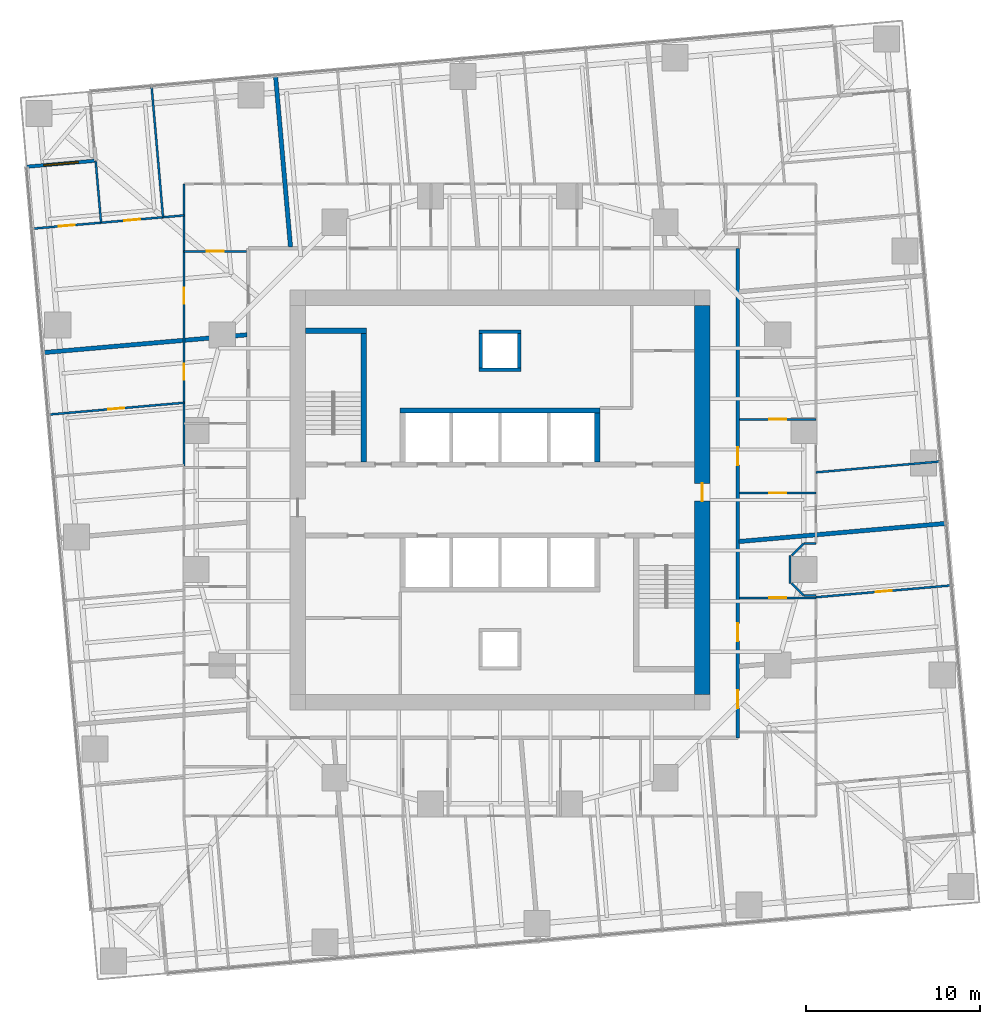
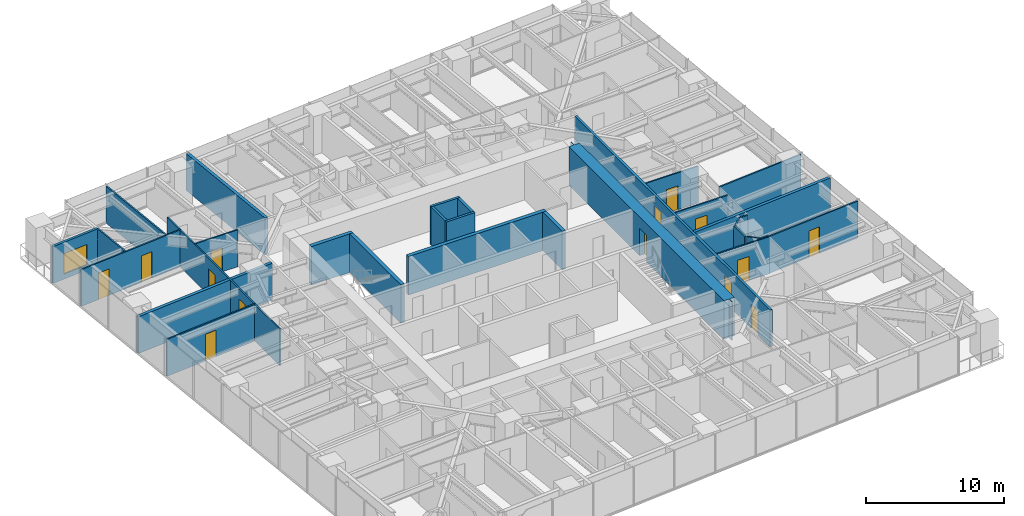
# One storey, part 11 of 14: 30 walls, 14 doors, 1 window, 15 openings.
"""IFC4 building model written with IfcOpenShell, lengths in metres."""

from ifc_helpers import new_model, si_unit, direction, frame, frame_2d, origin, place, context, subcontext, project, spatial, polyline, rectangle, outline, extrude, material, layer, layer_set, type_object, element, fill, save


model = new_model("IFC4")

# Units and contexts
model_context = context("Model", 3, precision=1e-05, world=origin(), true_north=direction((0.0, 1.0)))
body_context = subcontext(model_context, "Body", "Model", "MODEL_VIEW")
ifc_project = project(units=[si_unit("LENGTHUNIT", "METRE"), si_unit("AREAUNIT", "SQUARE_METRE"), si_unit("VOLUMEUNIT", "CUBIC_METRE"), si_unit("PLANEANGLEUNIT", "RADIAN"), si_unit("MASSUNIT", "GRAM", prefix="KILO")], contexts=[model_context])

# Site, building, storey
site_placement = place(None, origin())
site = spatial("IfcSite", under=ifc_project, at=site_placement, CompositionType="ELEMENT")
building_placement = place(site_placement, origin())
building = spatial("IfcBuilding", under=site, at=building_placement, Name="Torsade Residences", CompositionType="ELEMENT")
storey_placement = place(building_placement, frame((0.0, 0.0, 67.60009765625)))
storey = spatial("IfcBuildingStorey", under=building, at=storey_placement, Name="L18", CompositionType="ELEMENT", Elevation=67.60009765625)

# Walls
ifc_material_1 = material(Name="Concrete 80 MPa", Category="concrete")
ifc_layer_1 = layer(ifc_material_1, 0.300048828125)
ifc_layer_set_1 = layer_set([ifc_layer_1], Name="Concrete 80 MPa")
wall_type_1 = type_object("IfcWallType", Name="CORE INTERNAL WALL 300", PredefinedType="SHEAR", material=ifc_layer_set_1)
wall_1_placement = place(storey_placement, frame((34.25, 35.14990234375, 0.0), z_axis=(0.0, 0.0, 1.0), x_axis=(1.0, 0.0, 0.0)))
element("IfcWall", 1, at=wall_1_placement, inside=storey, type_object=wall_type_1, Name="Core wall BN L18", PredefinedType="SHEAR", context=body_context, shape_type="SweptSolid", body=[
    extrude(rectangle(XDim=11.5, YDim=0.300048828125, at=frame_2d((5.75, 0.0))), origin(), (0.0, 0.0, 1.0), 3.39990234375),
])
wall_2_placement = place(storey_placement, frame((45.60009765625, 32.199951171875, 0.0), z_axis=(0.0, 0.0, 1.0), x_axis=(0.0, 1.0, 0.0)))
element("IfcWall", 2, at=wall_2_placement, inside=storey, type_object=wall_type_1, Name="Core wall DN4 L18", PredefinedType="SHEAR", context=body_context, shape_type="SweptSolid", body=[
    extrude(rectangle(XDim=2.800048828125, YDim=0.300048828125, at=frame_2d((1.39990234375, 0.0))), origin(), (0.0, 0.0, 1.0), 3.39990234375),
])
wall_3_placement = place(storey_placement, frame((32.14990234375, 32.199951171875, 0.0), z_axis=(0.0, 0.0, 1.0), x_axis=(0.0, 1.0, 0.0)))
element("IfcWall", 3, at=wall_3_placement, inside=storey, type_object=wall_type_1, Name="Core wall ST1E L18", PredefinedType="SHEAR", context=body_context, shape_type="SweptSolid", body=[
    extrude(rectangle(XDim=7.699951171875, YDim=0.300048828125, at=frame_2d((3.85009765625, 0.0))), origin(), (0.0, 0.0, 1.0), 3.39990234375),
])
wall_4_placement = place(storey_placement, frame((28.800048828125, 39.75, 0.0), z_axis=(0.0, 0.0, 1.0), x_axis=(1.0, 0.0, 0.0)))
element("IfcWall", 4, at=wall_4_placement, inside=storey, type_object=wall_type_1, Name="Core wall ST1N L18", PredefinedType="SHEAR", context=body_context, shape_type="SweptSolid", body=[
    extrude(rectangle(XDim=3.5, YDim=0.300048828125, at=frame_2d((1.75, 0.0))), origin(), (0.0, 0.0, 1.0), 3.39990234375),
])

# Wall, opening, door
ifc_material_2 = material(Name="Concrete 80 MPa", Category="concrete")
ifc_layer_2 = layer(ifc_material_2, 0.89990234375)
ifc_layer_set_2 = layer_set([ifc_layer_2], Name="Concrete 80 MPa")
wall_type_2 = type_object("IfcWallType", Name="CORE WALL 900", PredefinedType="SHEAR", material=ifc_layer_set_2)
wall_5_placement = place(storey_placement, frame((51.64990234375, 18.800048828125, 0.0), z_axis=(0.0, 0.0, 1.0), x_axis=(0.0, 1.0, 0.0)))
wall_5 = element("IfcWall", 5, at=wall_5_placement, inside=storey, type_object=wall_type_2, Name="Core wall E L18", PredefinedType="SHEAR", context=body_context, shape_type="SweptSolid", body=[
    extrude(outline(polyline([(0.0, -0.449951171875), (22.39990234375, -0.449951171875), (22.39990234375, -0.02490234375), (22.849853515625, -0.02490234375), (22.849853515625, 0.02490234375), (22.39990234375, 0.02490234375), (22.39990234375, 0.449951171875), (0.0, 0.449951171875), (0.0, 0.02490234375), (-0.449951171875, 0.02490234375), (-0.449951171875, -0.02490234375), (0.0, -0.02490234375), (0.0, -0.449951171875)])), origin(), (0.0, 0.0, 1.0), 3.39990234375),
])
opening_1_placement = place(wall_5_placement, frame((11.139892578125, 0.0, 0.0)))
opening_1 = element("IfcOpeningElement", 6, at=opening_1_placement, cuts=wall_5, Name="Opening D04", PredefinedType="OPENING", context=body_context, shape_type="SweptSolid", body=[
    extrude(rectangle(XDim=1.02001953125, YDim=2.39990234375, at=frame_2d((0.510009765625, 1.199951171875))), frame((0.0, 0.4599609375, 0.0), z_axis=(0.0, -1.0, 0.0), x_axis=(1.0, 0.0, 0.0)), (0.0, 0.0, 1.0), 0.919921875),
])
ifc_material_3 = material(Name="Steel-framed fire door", Category="steel")
door_type_1 = type_object("IfcDoorType", Name="LOBBY SMOKE DOOR 1020x2400", OperationType="NOTDEFINED", PredefinedType="DOOR", material=ifc_material_3)
door_1_placement = place(opening_1_placement, origin())
door_1 = element("IfcDoor", 7, at=door_1_placement, inside=storey, type_object=door_type_1, Name="Lift lobby door E L18", OperationType="SINGLE_SWING_LEFT", OverallHeight=2.39990234375, OverallWidth=1.02001953125, PredefinedType="DOOR", context=body_context, shape_type="SweptSolid", body=[
    extrude(rectangle(XDim=1.02001953125, YDim=2.39990234375, at=frame_2d((0.510009765625, 1.199951171875))), frame((0.0, 0.02490234375, 0.0), z_axis=(0.0, -1.0, 0.0), x_axis=(1.0, 0.0, 0.0)), (0.0, 0.0, 1.0), 0.050048828125),
])
fill(opening_1, door_1)

# Wall, openings, doors
ifc_material_4 = material(Name="Plasterboard on steel stud", Category="steel")
ifc_layer_3 = layer(ifc_material_4, 0.199951171875)
ifc_layer_set_3 = layer_set([ifc_layer_3], Name="Plasterboard on steel stud")
wall_type_3 = type_object("IfcWallType", Name="CORRIDOR WALL 200", PredefinedType="PARTITIONING", material=ifc_layer_set_3)
wall_6_placement = place(storey_placement, frame((53.699951171875, 16.300048828125, 0.0), z_axis=(0.0, 0.0, 1.0), x_axis=(0.0, 1.0, 0.0)))
wall_6 = element("IfcWall", 8, at=wall_6_placement, inside=storey, type_object=wall_type_3, Name="Corridor wall L18", PredefinedType="PARTITIONING", context=body_context, shape_type="SweptSolid", body=[
    extrude(rectangle(XDim=28.199951171875, YDim=0.199951171875, at=frame_2d((14.10009765625, 0.0))), origin(), (0.0, 0.0, 1.0), 3.25),
])
opening_2_placement = place(wall_6_placement, frame((15.7158203125, 0.0, 0.0)))
opening_2 = element("IfcOpeningElement", 9, at=opening_2_placement, cuts=wall_6, Name="Opening D01", PredefinedType="OPENING", context=body_context, shape_type="SweptSolid", body=[
    extrude(rectangle(XDim=1.02001953125, YDim=2.340087890625, at=frame_2d((0.510009765625, 1.169921875))), frame((0.0, 0.10986328125, 0.0), z_axis=(0.0, -1.0, 0.0), x_axis=(1.0, 0.0, 0.0)), (0.0, 0.0, 1.0), 0.219970703125),
])
opening_3_placement = place(wall_6_placement, frame((5.572021484375, 0.0, 0.0)))
opening_3 = element("IfcOpeningElement", 10, at=opening_3_placement, cuts=wall_6, Name="Opening D01", PredefinedType="OPENING", context=body_context, shape_type="SweptSolid", body=[
    extrude(rectangle(XDim=1.02001953125, YDim=2.340087890625, at=frame_2d((0.510009765625, 1.169921875))), frame((0.0, 0.10986328125, 0.0), z_axis=(0.0, -1.0, 0.0), x_axis=(1.0, 0.0, 0.0)), (0.0, 0.0, 1.0), 0.219970703125),
])
opening_4_placement = place(wall_6_placement, frame((1.71484375, 0.0, 0.0)))
opening_4 = element("IfcOpeningElement", 11, at=opening_4_placement, cuts=wall_6, Name="Opening D01L", PredefinedType="OPENING", context=body_context, shape_type="SweptSolid", body=[
    extrude(rectangle(XDim=1.02001953125, YDim=2.10009765625, at=frame_2d((0.510009765625, 1.050048828125))), frame((0.0, 0.10986328125, 0.0), z_axis=(0.0, -1.0, 0.0), x_axis=(1.0, 0.0, 0.0)), (0.0, 0.0, 1.0), 0.219970703125),
])
ifc_material_5 = material(Name="Solid-core timber fire door", Category="wood")
door_type_2 = type_object("IfcDoorType", Name="APARTMENT ENTRY DOOR 1020x2100", OperationType="NOTDEFINED", PredefinedType="DOOR", material=ifc_material_5)
door_2_placement = place(opening_4_placement, origin())
door_2 = element("IfcDoor", 12, at=door_2_placement, inside=storey, type_object=door_type_2, Name="Door Residential corridor to Kitchen and dining", OperationType="SINGLE_SWING_LEFT", OverallHeight=2.10009765625, OverallWidth=1.02001953125, PredefinedType="DOOR", context=body_context, shape_type="SweptSolid", body=[
    extrude(rectangle(XDim=1.02001953125, YDim=2.10009765625, at=frame_2d((0.510009765625, 1.050048828125))), frame((0.0, 0.02490234375, 0.0), z_axis=(0.0, -1.0, 0.0), x_axis=(1.0, 0.0, 0.0)), (0.0, 0.0, 1.0), 0.050048828125),
])
fill(opening_4, door_2)
ifc_material_6 = material(Name="Solid-core timber fire door", Category="wood")
door_type_3 = type_object("IfcDoorType", Name="APARTMENT ENTRY DOOR 1020x2340", OperationType="NOTDEFINED", PredefinedType="DOOR", material=ifc_material_6)
door_3_placement = place(opening_2_placement, origin())
door_3 = element("IfcDoor", 13, at=door_3_placement, inside=storey, type_object=door_type_3, Name="Door Residential corridor to Kitchen and dining", OperationType="SINGLE_SWING_RIGHT", OverallHeight=2.340087890625, OverallWidth=1.02001953125, PredefinedType="DOOR", context=body_context, shape_type="SweptSolid", body=[
    extrude(rectangle(XDim=1.02001953125, YDim=2.340087890625, at=frame_2d((0.510009765625, 1.169921875))), frame((0.0, 0.02490234375, 0.0), z_axis=(0.0, -1.0, 0.0), x_axis=(1.0, 0.0, 0.0)), (0.0, 0.0, 1.0), 0.050048828125),
])
fill(opening_2, door_3)
door_4_placement = place(opening_3_placement, origin())
door_4 = element("IfcDoor", 14, at=door_4_placement, inside=storey, type_object=door_type_3, Name="Door Residential corridor to Kitchen and dining", OperationType="SINGLE_SWING_RIGHT", OverallHeight=2.340087890625, OverallWidth=1.02001953125, PredefinedType="DOOR", context=body_context, shape_type="SweptSolid", body=[
    extrude(rectangle(XDim=1.02001953125, YDim=2.340087890625, at=frame_2d((0.510009765625, 1.169921875))), frame((0.0, 0.02490234375, 0.0), z_axis=(0.0, -1.0, 0.0), x_axis=(1.0, 0.0, 0.0)), (0.0, 0.0, 1.0), 0.050048828125),
])
fill(opening_3, door_4)

# Wall, opening, door
ifc_material_7 = material(Name="Plasterboard on steel stud", Category="steel")
ifc_layer_4 = layer(ifc_material_7, 0.1201171875)
ifc_layer_set_4 = layer_set([ifc_layer_4], Name="Plasterboard on steel stud")
wall_type_4 = type_object("IfcWallType", Name="PARTITION 120", PredefinedType="PARTITIONING", material=ifc_layer_set_4)
wall_7_placement = place(storey_placement, frame((53.800048828125, 24.365966796875, 0.0), z_axis=(0.0, 0.0, 1.0), x_axis=(1.0, 0.0, 0.0)))
wall_7 = element("IfcWall", 15, at=wall_7_placement, inside=storey, type_object=wall_type_4, Name="Partition L18", PredefinedType="PARTITIONING", context=body_context, shape_type="SweptSolid", body=[
    extrude(rectangle(XDim=4.39990234375, YDim=0.1201171875, at=frame_2d((2.199951171875, 0.0))), origin(), (0.0, 0.0, 1.0), 3.25),
])
opening_5_placement = place(wall_7_placement, frame((1.719970703125, 0.0, 0.0)))
opening_5 = element("IfcOpeningElement", 16, at=opening_5_placement, cuts=wall_7, Name="Opening D05", PredefinedType="OPENING", context=body_context, shape_type="SweptSolid", body=[
    extrude(rectangle(XDim=0.9599609375, YDim=2.10009765625, at=frame_2d((0.47998046875, 1.050048828125))), frame((0.0, 0.070068359375, 0.0), z_axis=(0.0, -1.0, 0.0), x_axis=(1.0, 0.0, 0.0)), (0.0, 0.0, 1.0), 0.14013671875),
])
ifc_material_8 = material(Name="Hollow-core timber door in a steel cavity frame", Category="steel")
door_type_4 = type_object("IfcDoorType", Name="BATHROOM CAVITY SLIDING DOOR 960", OperationType="SLIDING_TO_LEFT", PredefinedType="DOOR", material=ifc_material_8)
door_5_placement = place(opening_5_placement, origin())
door_5 = element("IfcDoor", 17, at=door_5_placement, inside=storey, type_object=door_type_4, Name="Door Kitchen and dining to Bathroom", OperationType="SLIDING_TO_LEFT", OverallHeight=2.10009765625, OverallWidth=0.9599609375, PredefinedType="DOOR", context=body_context, shape_type="SweptSolid", body=[
    extrude(rectangle(XDim=0.9599609375, YDim=2.10009765625, at=frame_2d((0.47998046875, 1.050048828125))), frame((0.0, 0.02490234375, 0.0), z_axis=(0.0, -1.0, 0.0), x_axis=(1.0, 0.0, 0.0)), (0.0, 0.0, 1.0), 0.050048828125),
])
fill(opening_5, door_5)

# Walls
wall_8_placement = place(storey_placement, frame((58.199951171875, 27.5, 0.0), z_axis=(0.0, 0.0, 1.0), x_axis=(-1.0, 0.0, 0.0)))
element("IfcWall", 18, at=wall_8_placement, inside=storey, type_object=wall_type_4, Name="Partition L18", PredefinedType="PARTITIONING", context=body_context, shape_type="SweptSolid", body=[
    extrude(rectangle(XDim=0.699951171875, YDim=0.1201171875, at=frame_2d((0.35009765625, 0.0))), origin(), (0.0, 0.0, 1.0), 3.25),
])
wall_9_placement = place(storey_placement, frame((57.5, 27.5, 0.0), z_axis=(0.0, 0.0, 1.0), x_axis=(-0.707106781187, -0.707106781187, 0.0)))
element("IfcWall", 19, at=wall_9_placement, inside=storey, type_object=wall_type_4, Name="Partition L18", PredefinedType="PARTITIONING", context=body_context, shape_type="SweptSolid", body=[
    extrude(rectangle(XDim=0.989990234375, YDim=0.1201171875, at=frame_2d((0.4951171875, 0.0))), origin(), (0.0, 0.0, 1.0), 3.25),
])
wall_10_placement = place(storey_placement, frame((56.699951171875, 26.800048828125, 0.0), z_axis=(0.0, 0.0, 1.0), x_axis=(0.0, -1.0, 0.0)))
element("IfcWall", 20, at=wall_10_placement, inside=storey, type_object=wall_type_4, Name="Partition L18", PredefinedType="PARTITIONING", context=body_context, shape_type="SweptSolid", body=[
    extrude(rectangle(XDim=1.60009765625, YDim=0.1201171875, at=frame_2d((0.800048828125, 0.0))), origin(), (0.0, 0.0, 1.0), 3.25),
])
wall_11_placement = place(storey_placement, frame((56.800048828125, 25.199951171875, 0.0), z_axis=(0.0, 0.0, 1.0), x_axis=(0.707106781187, -0.707106781187, 0.0)))
element("IfcWall", 21, at=wall_11_placement, inside=storey, type_object=wall_type_4, Name="Partition L18", PredefinedType="PARTITIONING", context=body_context, shape_type="SweptSolid", body=[
    extrude(rectangle(XDim=0.989990234375, YDim=0.1201171875, at=frame_2d((0.4951171875, 0.0))), origin(), (0.0, 0.0, 1.0), 3.25),
])
wall_12_placement = place(storey_placement, frame((57.5, 24.5, 0.0), z_axis=(0.0, 0.0, 1.0), x_axis=(1.0, 0.0, 0.0)))
element("IfcWall", 22, at=wall_12_placement, inside=storey, type_object=wall_type_4, Name="Partition L18", PredefinedType="PARTITIONING", context=body_context, shape_type="SweptSolid", body=[
    extrude(rectangle(XDim=0.699951171875, YDim=0.1201171875, at=frame_2d((0.35009765625, 0.0))), origin(), (0.0, 0.0, 1.0), 3.25),
])

# Wall, opening, door
wall_13_placement = place(storey_placement, frame((58.199951171875, 24.398193359375, 0.0), z_axis=(0.0, 0.0, 1.0), x_axis=(0.996194158156, 0.087161914023, 0.0)))
wall_13 = element("IfcWall", 23, at=wall_13_placement, inside=storey, type_object=wall_type_4, Name="Partition L18", PredefinedType="PARTITIONING", context=body_context, shape_type="SweptSolid", body=[
    extrude(rectangle(XDim=7.817626953125, YDim=0.1201171875, at=frame_2d((3.90869140625, 0.0))), origin(), (0.0, 0.0, 1.0), 3.25),
])
opening_6_placement = place(wall_13_placement, frame((3.46875, 0.0, 0.0)))
opening_6 = element("IfcOpeningElement", 24, at=opening_6_placement, cuts=wall_13, Name="Opening D02", PredefinedType="OPENING", context=body_context, shape_type="SweptSolid", body=[
    extrude(rectangle(XDim=0.919921875, YDim=2.340087890625, at=frame_2d((0.4599609375, 1.169921875))), frame((0.0, 0.070068359375, 0.0), z_axis=(0.0, -1.0, 0.0), x_axis=(1.0, 0.0, 0.0)), (0.0, 0.0, 1.0), 0.14013671875),
])
ifc_material_9 = material(Name="Hollow-core timber door", Category="wood")
door_type_5 = type_object("IfcDoorType", Name="INTERNAL DOOR 920x2340", OperationType="NOTDEFINED", PredefinedType="DOOR", material=ifc_material_9)
door_6_placement = place(opening_6_placement, origin())
door_6 = element("IfcDoor", 25, at=door_6_placement, inside=storey, type_object=door_type_5, Name="Door Living room to Bedroom 1", OperationType="SINGLE_SWING_RIGHT", OverallHeight=2.340087890625, OverallWidth=0.919921875, PredefinedType="DOOR", context=body_context, shape_type="SweptSolid", body=[
    extrude(rectangle(XDim=0.919921875, YDim=2.340087890625, at=frame_2d((0.4599609375, 1.169921875))), frame((0.0, 0.02490234375, 0.0), z_axis=(0.0, -1.0, 0.0), x_axis=(1.0, 0.0, 0.0)), (0.0, 0.0, 1.0), 0.050048828125),
])
fill(opening_6, door_6)

wall_14_placement = place(storey_placement, frame((53.800048828125, 34.6484375, 0.0), z_axis=(0.0, 0.0, 1.0), x_axis=(1.0, 0.0, 0.0)))
wall_14 = element("IfcWall", 26, at=wall_14_placement, inside=storey, type_object=wall_type_4, Name="Partition L18", PredefinedType="PARTITIONING", context=body_context, shape_type="SweptSolid", body=[
    extrude(rectangle(XDim=4.39990234375, YDim=0.1201171875, at=frame_2d((2.199951171875, 0.0))), origin(), (0.0, 0.0, 1.0), 3.25),
])
opening_7_placement = place(wall_14_placement, frame((1.719970703125, 0.0, 0.0)))
opening_7 = element("IfcOpeningElement", 27, at=opening_7_placement, cuts=wall_14, Name="Opening D05", PredefinedType="OPENING", context=body_context, shape_type="SweptSolid", body=[
    extrude(rectangle(XDim=0.9599609375, YDim=2.10009765625, at=frame_2d((0.47998046875, 1.050048828125))), frame((0.0, 0.070068359375, 0.0), z_axis=(0.0, -1.0, 0.0), x_axis=(1.0, 0.0, 0.0)), (0.0, 0.0, 1.0), 0.14013671875),
])
door_7_placement = place(opening_7_placement, origin())
door_7 = element("IfcDoor", 28, at=door_7_placement, inside=storey, type_object=door_type_4, Name="Door Kitchen and dining to Ensuite", OperationType="SLIDING_TO_LEFT", OverallHeight=2.10009765625, OverallWidth=0.9599609375, PredefinedType="DOOR", context=body_context, shape_type="SweptSolid", body=[
    extrude(rectangle(XDim=0.9599609375, YDim=2.10009765625, at=frame_2d((0.47998046875, 1.050048828125))), frame((0.0, 0.02490234375, 0.0), z_axis=(0.0, -1.0, 0.0), x_axis=(1.0, 0.0, 0.0)), (0.0, 0.0, 1.0), 0.050048828125),
])
fill(opening_7, door_7)

wall_15_placement = place(storey_placement, frame((58.199951171875, 30.403076171875, 0.0), z_axis=(0.0, 0.0, 1.0), x_axis=(-1.0, 0.0, 0.0)))
wall_15 = element("IfcWall", 29, at=wall_15_placement, inside=storey, type_object=wall_type_4, Name="Partition L18", PredefinedType="PARTITIONING", context=body_context, shape_type="SweptSolid", body=[
    extrude(rectangle(XDim=4.39990234375, YDim=0.1201171875, at=frame_2d((2.199951171875, 0.0))), origin(), (0.0, 0.0, 1.0), 3.25),
])
opening_8_placement = place(wall_15_placement, frame((1.719970703125, 0.0, 0.0)))
opening_8 = element("IfcOpeningElement", 30, at=opening_8_placement, cuts=wall_15, Name="Opening D05", PredefinedType="OPENING", context=body_context, shape_type="SweptSolid", body=[
    extrude(rectangle(XDim=0.9599609375, YDim=2.10009765625, at=frame_2d((0.47998046875, 1.050048828125))), frame((0.0, 0.070068359375, 0.0), z_axis=(0.0, -1.0, 0.0), x_axis=(1.0, 0.0, 0.0)), (0.0, 0.0, 1.0), 0.14013671875),
])
door_8_placement = place(opening_8_placement, origin())
door_8 = element("IfcDoor", 31, at=door_8_placement, inside=storey, type_object=door_type_4, Name="Door Kitchen and dining to Laundry", OperationType="SLIDING_TO_LEFT", OverallHeight=2.10009765625, OverallWidth=0.9599609375, PredefinedType="DOOR", context=body_context, shape_type="SweptSolid", body=[
    extrude(rectangle(XDim=0.9599609375, YDim=2.10009765625, at=frame_2d((0.47998046875, 1.050048828125))), frame((0.0, 0.02490234375, 0.0), z_axis=(0.0, -1.0, 0.0), x_axis=(1.0, 0.0, 0.0)), (0.0, 0.0, 1.0), 0.050048828125),
])
fill(opening_8, door_8)

# Wall
wall_16_placement = place(storey_placement, frame((65.363037109375, 32.218994140625, 0.0), z_axis=(0.0, 0.0, 1.0), x_axis=(-0.996194454549, -0.087158526409, 0.0)))
element("IfcWall", 32, at=wall_16_placement, inside=storey, type_object=wall_type_4, Name="Partition L18", PredefinedType="PARTITIONING", context=body_context, shape_type="SweptSolid", body=[
    extrude(rectangle(XDim=7.1904296875, YDim=0.1201171875, at=frame_2d((3.59521484375, 0.0))), origin(), (0.0, 0.0, 1.0), 3.25),
])

# Wall, opening, door
wall_17_placement = place(storey_placement, frame((21.800048828125, 44.32421875, 0.0), z_axis=(0.0, 0.0, 1.0), x_axis=(1.0, 0.0, 0.0)))
wall_17 = element("IfcWall", 33, at=wall_17_placement, inside=storey, type_object=wall_type_4, Name="Partition L18", PredefinedType="PARTITIONING", context=body_context, shape_type="SweptSolid", body=[
    extrude(rectangle(XDim=3.599853515625, YDim=0.1201171875, at=frame_2d((1.7998046875, 0.0))), origin(), (0.0, 0.0, 1.0), 3.25),
])
opening_9_placement = place(wall_17_placement, frame((1.320068359375, 0.0, 0.0)))
opening_9 = element("IfcOpeningElement", 34, at=opening_9_placement, cuts=wall_17, Name="Opening D05", PredefinedType="OPENING", context=body_context, shape_type="SweptSolid", body=[
    extrude(rectangle(XDim=0.9599609375, YDim=2.10009765625, at=frame_2d((0.47998046875, 1.050048828125))), frame((0.0, 0.070068359375, 0.0), z_axis=(0.0, -1.0, 0.0), x_axis=(1.0, 0.0, 0.0)), (0.0, 0.0, 1.0), 0.14013671875),
])
door_9_placement = place(opening_9_placement, origin())
door_9 = element("IfcDoor", 35, at=door_9_placement, inside=storey, type_object=door_type_4, Name="Door Kitchen and dining to Bathroom", OperationType="SLIDING_TO_LEFT", OverallHeight=2.10009765625, OverallWidth=0.9599609375, PredefinedType="DOOR", context=body_context, shape_type="SweptSolid", body=[
    extrude(rectangle(XDim=0.9599609375, YDim=2.10009765625, at=frame_2d((0.47998046875, 1.050048828125))), frame((0.0, 0.02490234375, 0.0), z_axis=(0.0, -1.0, 0.0), x_axis=(1.0, 0.0, 0.0)), (0.0, 0.0, 1.0), 0.050048828125),
])
fill(opening_9, door_9)

# Wall, openings, doors
wall_18_placement = place(storey_placement, frame((21.800048828125, 31.95458984375, 0.0), z_axis=(0.0, 0.0, 1.0), x_axis=(0.0, 1.0, 0.0)))
wall_18 = element("IfcWall", 36, at=wall_18_placement, inside=storey, type_object=wall_type_4, Name="Partition L18", PredefinedType="PARTITIONING", context=body_context, shape_type="SweptSolid", body=[
    extrude(rectangle(XDim=16.245361328125, YDim=0.1201171875, at=frame_2d((8.12255859375, 0.0))), origin(), (0.0, 0.0, 1.0), 3.25),
])
opening_10_placement = place(wall_18_placement, frame((4.960693359375, 0.0, 0.0)))
opening_10 = element("IfcOpeningElement", 37, at=opening_10_placement, cuts=wall_18, Name="Opening D02", PredefinedType="OPENING", context=body_context, shape_type="SweptSolid", body=[
    extrude(rectangle(XDim=0.919921875, YDim=2.340087890625, at=frame_2d((0.4599609375, 1.169921875))), frame((0.0, 0.070068359375, 0.0), z_axis=(0.0, -1.0, 0.0), x_axis=(1.0, 0.0, 0.0)), (0.0, 0.0, 1.0), 0.14013671875),
])
opening_11_placement = place(wall_18_placement, frame((9.346923828125, 0.0, 0.0)))
opening_11 = element("IfcOpeningElement", 38, at=opening_11_placement, cuts=wall_18, Name="Opening D02", PredefinedType="OPENING", context=body_context, shape_type="SweptSolid", body=[
    extrude(rectangle(XDim=0.919921875, YDim=2.340087890625, at=frame_2d((0.4599609375, 1.169921875))), frame((0.0, 0.070068359375, 0.0), z_axis=(0.0, -1.0, 0.0), x_axis=(1.0, 0.0, 0.0)), (0.0, 0.0, 1.0), 0.14013671875),
])
door_10_placement = place(opening_10_placement, origin())
door_10 = element("IfcDoor", 39, at=door_10_placement, inside=storey, type_object=door_type_5, Name="Door Kitchen and dining to Living room", OperationType="SINGLE_SWING_RIGHT", OverallHeight=2.340087890625, OverallWidth=0.919921875, PredefinedType="DOOR", context=body_context, shape_type="SweptSolid", body=[
    extrude(rectangle(XDim=0.919921875, YDim=2.340087890625, at=frame_2d((0.4599609375, 1.169921875))), frame((0.0, 0.02490234375, 0.0), z_axis=(0.0, -1.0, 0.0), x_axis=(1.0, 0.0, 0.0)), (0.0, 0.0, 1.0), 0.050048828125),
])
fill(opening_10, door_10)
door_11_placement = place(opening_11_placement, origin())
door_11 = element("IfcDoor", 40, at=door_11_placement, inside=storey, type_object=door_type_5, Name="Door Kitchen and dining to Living room", OperationType="SINGLE_SWING_LEFT", OverallHeight=2.340087890625, OverallWidth=0.919921875, PredefinedType="DOOR", context=body_context, shape_type="SweptSolid", body=[
    extrude(rectangle(XDim=0.919921875, YDim=2.340087890625, at=frame_2d((0.4599609375, 1.169921875))), frame((0.0, 0.02490234375, 0.0), z_axis=(0.0, -1.0, 0.0), x_axis=(1.0, 0.0, 0.0)), (0.0, 0.0, 1.0), 0.050048828125),
])
fill(opening_11, door_11)

wall_19_placement = place(storey_placement, frame((13.075439453125, 45.62939453125, 0.0), z_axis=(0.0, 0.0, 1.0), x_axis=(0.996193475426, 0.087169716747, 0.0)))
wall_19 = element("IfcWall", 41, at=wall_19_placement, inside=storey, type_object=wall_type_4, Name="Partition L18", PredefinedType="PARTITIONING", context=body_context, shape_type="SweptSolid", body=[
    extrude(rectangle(XDim=8.758056640625, YDim=0.1201171875, at=frame_2d((4.37890625, 0.0))), origin(), (0.0, 0.0, 1.0), 3.25),
])
opening_12_placement = place(wall_19_placement, frame((1.52490234375, 0.0, 0.0)))
opening_12 = element("IfcOpeningElement", 42, at=opening_12_placement, cuts=wall_19, Name="Opening D02", PredefinedType="OPENING", context=body_context, shape_type="SweptSolid", body=[
    extrude(rectangle(XDim=0.919921875, YDim=2.340087890625, at=frame_2d((0.4599609375, 1.169921875))), frame((0.0, 0.070068359375, 0.0), z_axis=(0.0, -1.0, 0.0), x_axis=(1.0, 0.0, 0.0)), (0.0, 0.0, 1.0), 0.14013671875),
])
opening_13_placement = place(wall_19_placement, frame((5.291748046875, 0.0, 0.0)))
opening_13 = element("IfcOpeningElement", 43, at=opening_13_placement, cuts=wall_19, Name="Opening D02", PredefinedType="OPENING", context=body_context, shape_type="SweptSolid", body=[
    extrude(rectangle(XDim=0.919921875, YDim=2.340087890625, at=frame_2d((0.4599609375, 1.169921875))), frame((0.0, 0.070068359375, 0.0), z_axis=(0.0, -1.0, 0.0), x_axis=(1.0, 0.0, 0.0)), (0.0, 0.0, 1.0), 0.14013671875),
])
door_12_placement = place(opening_12_placement, origin())
door_12 = element("IfcDoor", 44, at=door_12_placement, inside=storey, type_object=door_type_5, Name="Door Living room to Family room", OperationType="SINGLE_SWING_RIGHT", OverallHeight=2.340087890625, OverallWidth=0.919921875, PredefinedType="DOOR", context=body_context, shape_type="SweptSolid", body=[
    extrude(rectangle(XDim=0.919921875, YDim=2.340087890625, at=frame_2d((0.4599609375, 1.169921875))), frame((0.0, 0.02490234375, 0.0), z_axis=(0.0, -1.0, 0.0), x_axis=(1.0, 0.0, 0.0)), (0.0, 0.0, 1.0), 0.050048828125),
])
fill(opening_12, door_12)
door_13_placement = place(opening_13_placement, origin())
door_13 = element("IfcDoor", 45, at=door_13_placement, inside=storey, type_object=door_type_5, Name="Door Living room to Bedroom 1", OperationType="SINGLE_SWING_LEFT", OverallHeight=2.340087890625, OverallWidth=0.919921875, PredefinedType="DOOR", context=body_context, shape_type="SweptSolid", body=[
    extrude(rectangle(XDim=0.919921875, YDim=2.340087890625, at=frame_2d((0.4599609375, 1.169921875))), frame((0.0, 0.02490234375, 0.0), z_axis=(0.0, -1.0, 0.0), x_axis=(1.0, 0.0, 0.0)), (0.0, 0.0, 1.0), 0.050048828125),
])
fill(opening_13, door_13)

# Walls
wall_20_placement = place(storey_placement, frame((19.9326171875, 53.801513671875, 0.0), z_axis=(0.0, 0.0, 1.0), x_axis=(0.087158920508, -0.996194420069, 0.0)))
element("IfcWall", 46, at=wall_20_placement, inside=storey, type_object=wall_type_4, Name="Partition L18", PredefinedType="PARTITIONING", context=body_context, shape_type="SweptSolid", body=[
    extrude(rectangle(XDim=7.54345703125, YDim=0.1201171875, at=frame_2d((3.771728515625, 0.0))), origin(), (0.0, 0.0, 1.0), 3.25),
])
wall_21_placement = place(storey_placement, frame((17.020263671875, 45.974609375, 0.0), z_axis=(0.0, 0.0, 1.0), x_axis=(-0.087161821847, 0.996194166221, 0.0)))
element("IfcWall", 47, at=wall_21_placement, inside=storey, type_object=wall_type_4, Name="Partition L18", PredefinedType="PARTITIONING", context=body_context, shape_type="SweptSolid", body=[
    extrude(rectangle(XDim=3.543212890625, YDim=0.1201171875, at=frame_2d((1.771484375, 0.0))), origin(), (0.0, 0.0, 1.0), 3.25),
])

# Wall, opening, door
wall_22_placement = place(storey_placement, frame((21.800048828125, 35.601806640625, 0.0), z_axis=(0.0, 0.0, 1.0), x_axis=(-0.996194158156, -0.087161914023, 0.0)))
wall_22 = element("IfcWall", 48, at=wall_22_placement, inside=storey, type_object=wall_type_4, Name="Partition L18", PredefinedType="PARTITIONING", context=body_context, shape_type="SweptSolid", body=[
    extrude(rectangle(XDim=7.817626953125, YDim=0.1201171875, at=frame_2d((3.90869140625, 0.0))), origin(), (0.0, 0.0, 1.0), 3.25),
])
opening_14_placement = place(wall_22_placement, frame((3.46875, 0.0, 0.0)))
opening_14 = element("IfcOpeningElement", 49, at=opening_14_placement, cuts=wall_22, Name="Opening D02", PredefinedType="OPENING", context=body_context, shape_type="SweptSolid", body=[
    extrude(rectangle(XDim=0.919921875, YDim=2.340087890625, at=frame_2d((0.4599609375, 1.169921875))), frame((0.0, 0.070068359375, 0.0), z_axis=(0.0, -1.0, 0.0), x_axis=(1.0, 0.0, 0.0)), (0.0, 0.0, 1.0), 0.14013671875),
])
door_14_placement = place(opening_14_placement, origin())
door_14 = element("IfcDoor", 50, at=door_14_placement, inside=storey, type_object=door_type_5, Name="Door Living room to Bedroom 1", OperationType="SINGLE_SWING_RIGHT", OverallHeight=2.340087890625, OverallWidth=0.919921875, PredefinedType="DOOR", context=body_context, shape_type="SweptSolid", body=[
    extrude(rectangle(XDim=0.919921875, YDim=2.340087890625, at=frame_2d((0.4599609375, 1.169921875))), frame((0.0, 0.02490234375, 0.0), z_axis=(0.0, -1.0, 0.0), x_axis=(1.0, 0.0, 0.0)), (0.0, 0.0, 1.0), 0.050048828125),
])
fill(opening_14, door_14)

# Walls
ifc_material_10 = material(Name="Masonry-lined stud party wall", Category="masonry")
ifc_layer_5 = layer(ifc_material_10, 0.25)
ifc_layer_set_5 = layer_set([ifc_layer_5], Name="Masonry-lined stud party wall")
wall_type_5 = type_object("IfcWallType", Name="PARTY WALL 250", PredefinedType="PARTITIONING", material=ifc_layer_set_5)
wall_23_placement = place(storey_placement, frame((27.068359375, 54.466064453125, 0.0), z_axis=(0.0, 0.0, 1.0), x_axis=(0.087157803114, -0.996194517831, 0.0)))
element("IfcWall", 51, at=wall_23_placement, inside=storey, type_object=wall_type_5, Name="Party wall L18", PredefinedType="PARTITIONING", context=body_context, shape_type="SweptSolid", body=[
    extrude(rectangle(XDim=9.932861328125, YDim=0.25, at=frame_2d((4.96630859375, 0.0))), origin(), (0.0, 0.0, 1.0), 3.25),
])
wall_24_placement = place(storey_placement, frame((13.66015625, 38.486572265625, 0.0), z_axis=(0.0, 0.0, 1.0), x_axis=(0.996193605338, 0.087168232078, 0.0)))
element("IfcWall", 52, at=wall_24_placement, inside=storey, type_object=wall_type_5, Name="Party wall L18", PredefinedType="PARTITIONING", context=body_context, shape_type="SweptSolid", body=[
    extrude(rectangle(XDim=11.813720703125, YDim=0.25, at=frame_2d((5.90673828125, 0.0))), origin(), (0.0, 0.0, 1.0), 3.25),
])
wall_25_placement = place(storey_placement, frame((65.71533203125, 28.65283203125, 0.0), z_axis=(0.0, 0.0, 1.0), x_axis=(-0.996195220272, -0.087149773992, 0.0)))
element("IfcWall", 53, at=wall_25_placement, inside=storey, type_object=wall_type_5, Name="Party wall L18", PredefinedType="PARTITIONING", context=body_context, shape_type="SweptSolid", body=[
    extrude(rectangle(XDim=11.989990234375, YDim=0.25, at=frame_2d((5.9951171875, 0.0))), origin(), (0.0, 0.0, 1.0), 3.25),
])
ifc_material_11 = material(Name="Reinforced blockwork", Category="masonry")
ifc_layer_6 = layer(ifc_material_11, 0.199951171875)
ifc_layer_set_6 = layer_set([ifc_layer_6], Name="Reinforced blockwork")
wall_type_6 = type_object("IfcWallType", Name="RISER SHAFT WALL 200", PredefinedType="SOLIDWALL", material=ifc_layer_set_6)
for number, where, z_axis, x_axis, name in (
    (54, (38.89990234375, 37.60009765625, 0.0), (0.0, 0.0, 1.0), (0.0, 1.0, 0.0), "Core wall RS1a L18"),
    (55, (41.10009765625, 37.60009765625, 0.0), (0.0, 0.0, 1.0), (0.0, 1.0, 0.0), "Core wall RS1b L18"),
):
    element("IfcWall", number, at=place(storey_placement, frame(where, z_axis=z_axis, x_axis=x_axis)), inside=storey, type_object=wall_type_6, Name=name, PredefinedType="SOLIDWALL", context=body_context, shape_type="SweptSolid", body=[
        extrude(rectangle(XDim=2.0, YDim=0.199951171875, at=frame_2d((1.0, 0.0))), origin(), (0.0, 0.0, 1.0), 3.39990234375),
    ])
for number, where, z_axis, x_axis, name in (
    (56, (38.800048828125, 37.5, 0.0), (0.0, 0.0, 1.0), (1.0, 0.0, 0.0), "Core wall RS1c L18"),
    (57, (38.800048828125, 39.699951171875, 0.0), (0.0, 0.0, 1.0), (1.0, 0.0, 0.0), "Core wall RS1d L18"),
):
    element("IfcWall", number, at=place(storey_placement, frame(where, z_axis=z_axis, x_axis=x_axis)), inside=storey, type_object=wall_type_6, Name=name, PredefinedType="SOLIDWALL", context=body_context, shape_type="SweptSolid", body=[
        extrude(rectangle(XDim=2.39990234375, YDim=0.199951171875, at=frame_2d((1.199951171875, 0.0))), origin(), (0.0, 0.0, 1.0), 3.39990234375),
    ])

# Wall, opening, window
ifc_material_12 = material(Name="Stone-faced precast concrete 40 MPa panel", Category="masonry")
ifc_layer_7 = layer(ifc_material_12, 0.199951171875)
ifc_layer_set_7 = layer_set([ifc_layer_7], Name="Stone-faced precast concrete 40 MPa panel")
wall_type_7 = type_object("IfcWallType", Name="TERRACE WALL 200", PredefinedType="SOLIDWALL", material=ifc_layer_set_7)
wall_26_placement = place(storey_placement, frame((16.7080078125, 49.54443359375, 0.0), z_axis=(0.0, 0.0, 1.0), x_axis=(-0.99619464492, -0.087156350505, 0.0)))
wall_26 = element("IfcWall", 58, at=wall_26_placement, inside=storey, type_object=wall_type_7, Name="Terrace wall L18 9", PredefinedType="SOLIDWALL", context=body_context, shape_type="SweptSolid", body=[
    extrude(rectangle(XDim=4.0, YDim=0.199951171875, at=frame_2d((2.0, 0.0))), origin(), (0.0, 0.0, 1.0), 3.25),
])
opening_15_placement = place(wall_26_placement, frame((1.0, 0.0, 0.449951171875)))
opening_15 = element("IfcOpeningElement", 59, at=opening_15_placement, cuts=wall_26, Name="Opening W1B", PredefinedType="OPENING", context=body_context, shape_type="SweptSolid", body=[
    extrude(rectangle(XDim=2.0, YDim=1.800048828125, at=frame_2d((1.0, 0.89990234375))), frame((0.0, 0.10986328125, 0.0), z_axis=(0.0, -1.0, 0.0), x_axis=(1.0, 0.0, 0.0)), (0.0, 0.0, 1.0), 0.219970703125),
])
ifc_material_13 = material(Name="Aluminium-framed glass window", Category="aluminium")
window_type = type_object("IfcWindowType", Name="TERRACE WINDOW 2000x1800", PartitioningType="SINGLE_PANEL", PredefinedType="WINDOW", material=ifc_material_13)
window_placement = place(opening_15_placement, origin())
window = element("IfcWindow", 60, at=window_placement, inside=storey, type_object=window_type, Name="Terrace window L18 9", OverallHeight=1.800048828125, OverallWidth=2.0, PartitioningType="SINGLE_PANEL", PredefinedType="WINDOW", context=body_context, shape_type="SweptSolid", body=[
    extrude(rectangle(XDim=2.0, YDim=1.800048828125, at=frame_2d((1.0, 0.89990234375))), frame((0.0, 0.030029296875, 0.0), z_axis=(0.0, -1.0, 0.0), x_axis=(1.0, 0.0, 0.0)), (0.0, 0.0, 1.0), 0.06005859375),
])
fill(opening_15, window)

save(model, "model.ifc")
